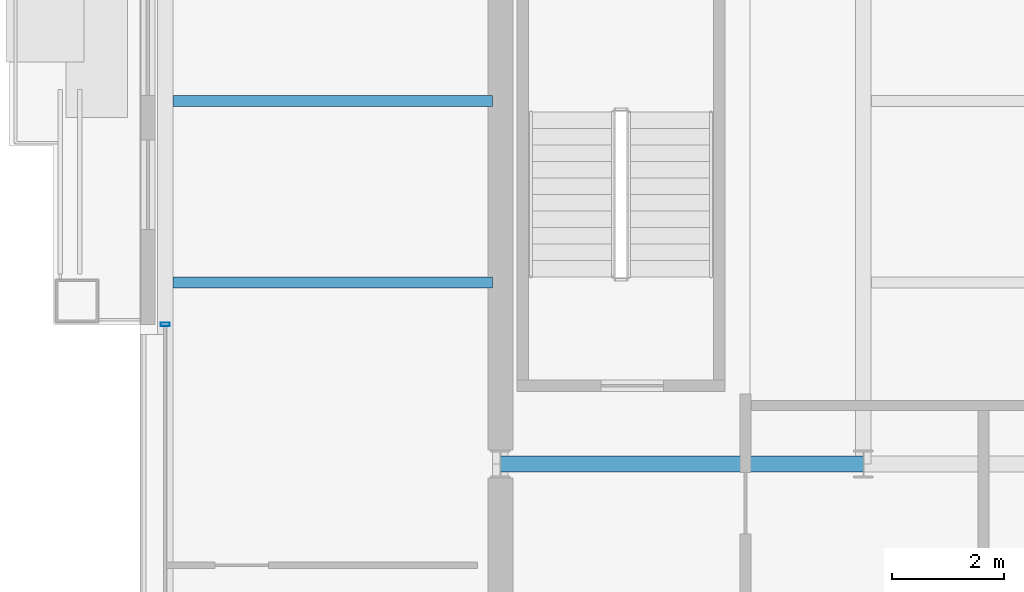
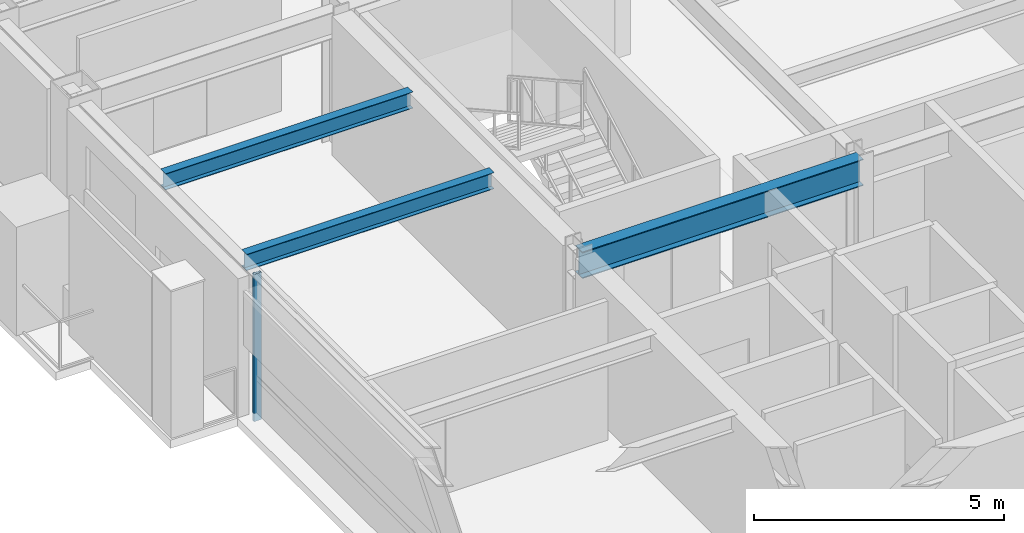
# One storey, part 9 of 30: 3 beams, 1 member, 1 element without a shape of its own.
"""IFC4 building model written with IfcOpenShell, lengths in metres."""

from ifc_helpers import new_model, si_unit, direction, frame, origin, origin_2d, place, context, subcontext, project, spatial, hollow_rectangle, i_section, extrude, material, layer, layer_set, material_profile, profile_set, type_object, element, aggregate, save


model = new_model("IFC4")

# Units and contexts
model_context = context("Model", 3, precision=1e-05, world=origin(), true_north=direction((0.0, 1.0)))
body_context = subcontext(model_context, "Body", "Model", "MODEL_VIEW")
ifc_project = project(units=[si_unit("LENGTHUNIT", "METRE"), si_unit("AREAUNIT", "SQUARE_METRE"), si_unit("VOLUMEUNIT", "CUBIC_METRE"), si_unit("PLANEANGLEUNIT", "RADIAN"), si_unit("MASSUNIT", "GRAM", prefix="KILO")], contexts=[model_context])

# Site, building, storey
site_placement = place(None, origin())
site = spatial("IfcSite", under=ifc_project, at=site_placement, CompositionType="ELEMENT")
building_placement = place(site_placement, origin())
building = spatial("IfcBuilding", under=site, at=building_placement, Name="Brelmoor Portico Tower", CompositionType="ELEMENT")
storey_placement = place(building_placement, frame((0.0, 0.0, 169.5)))
storey = spatial("IfcBuildingStorey", under=building, at=storey_placement, Name="L44", CompositionType="ELEMENT", Elevation=169.5)

# Beams
ifc_material_1 = material(Name="Steel Q355B", Category="steel")
ifc_material_profile_1 = material_profile(ifc_material_1, i_section(OverallWidth=0.199951171875, OverallDepth=0.39990234375, WebThickness=0.008056640625, FlangeThickness=0.012939453125, at=origin_2d()), Name="HN 400x200x8x13")
ifc_profile_set_1 = profile_set([ifc_material_profile_1], Name="Steel Q355B")
beam_type_1 = type_object("IfcBeamType", Name="BM-JS-400", PredefinedType="JOIST", material=ifc_profile_set_1)
for number, where, z_axis, x_axis, name in (
    (1, (-20.409912109375, 3.25, 3.199951171875), (1.0, 0.0, 0.0), (0.0, 1.0, 0.0), "L44 Secondary Wing Joist JS-W07"),
    (2, (-20.409912109375, 6.5, 3.199951171875), (1.0, 0.0, 0.0), (0.0, 1.0, 0.0), "L44 Secondary Wing Joist JS-W08"),
):
    element("IfcBeam", number, at=place(storey_placement, frame(where, z_axis=z_axis, x_axis=x_axis)), inside=storey, type_object=beam_type_1, Name=name, PredefinedType="JOIST", context=body_context, shape_type="SweptSolid", body=[
        extrude(i_section(OverallWidth=0.199951171875, OverallDepth=0.39990234375, WebThickness=0.008056640625, FlangeThickness=0.012939453125, at=origin_2d()), origin(), (0.0, 0.0, 1.0), 5.719970703125),
    ])
ifc_material_profile_2 = material_profile(ifc_material_1, i_section(OverallWidth=0.280029296875, OverallDepth=0.64990234375, WebThickness=0.012939453125, FlangeThickness=0.02197265625, at=origin_2d()), Name="HN 650x280x13x22")
ifc_profile_set_2 = profile_set([ifc_material_profile_2], Name="Steel Q355B")
beam_type_2 = type_object("IfcBeamType", Name="BM-PG-650", PredefinedType="BEAM", material=ifc_profile_set_2)
beam_placement = place(storey_placement, frame((-14.550048828125, 0.0, 3.074951171875), z_axis=(1.0, 0.0, 0.0), x_axis=(0.0, 1.0, 0.0)))
element("IfcBeam", 3, at=beam_placement, inside=storey, type_object=beam_type_2, Name="L44 Primary Floor Girder PG-16", PredefinedType="BEAM", context=body_context, shape_type="SweptSolid", body=[
    extrude(i_section(OverallWidth=0.280029296875, OverallDepth=0.64990234375, WebThickness=0.012939453125, FlangeThickness=0.02197265625, at=origin_2d()), origin(), (0.0, 0.0, 1.0), 6.5),
])

# Curtain wall, member
ifc_material_2 = material(Name="Anodised Aluminium Alloy 6063-T6", Category="aluminium")
ifc_layer = layer(ifc_material_2, 0.179931640625)
ifc_layer_set = layer_set([ifc_layer], Name="Anodised Aluminium Alloy 6063-T6")
curtain_wall_type = type_object("IfcCurtainWallType", Name="CW-TOWER-Z3", PredefinedType="NOTDEFINED", material=ifc_layer_set)
curtain_wall_placement = place(storey_placement, origin())
curtain_wall = element("IfcCurtainWall", 4, at=curtain_wall_placement, inside=storey, type_object=curtain_wall_type, Name="L44 Curtain Wall CW-L44-3L-2", PredefinedType="NOTDEFINED")
ifc_material_profile_3 = material_profile(ifc_material_2, hollow_rectangle(XDim=0.06494140625, YDim=0.1650390625, WallThickness=0.00390625, at=origin_2d()), Name="ALU MULLION 65x165")
ifc_profile_set_3 = profile_set([ifc_material_profile_3], Name="Anodised Aluminium Alloy 6063-T6")
member_type = type_object("IfcMemberType", Name="MB-CW-MULL-165", PredefinedType="MULLION", material=ifc_profile_set_3)
member_placement = place(storey_placement, frame((-20.550048828125, 2.5, -0.199951171875), z_axis=(0.0, 0.0, 1.0), x_axis=(0.0, 1.0, 0.0)))
member = element("IfcMember", 5, at=member_placement, type_object=member_type, Name="CW-L44-3L-2 Mullion 01", PredefinedType="MULLION", context=body_context, shape_type="SweptSolid", body=[
    extrude(hollow_rectangle(XDim=0.06494140625, YDim=0.1650390625, WallThickness=0.00390625, at=origin_2d()), origin(), (0.0, 0.0, 1.0), 3.599853515625),
])
aggregate(curtain_wall, [member])

save(model, "model.ifc")
